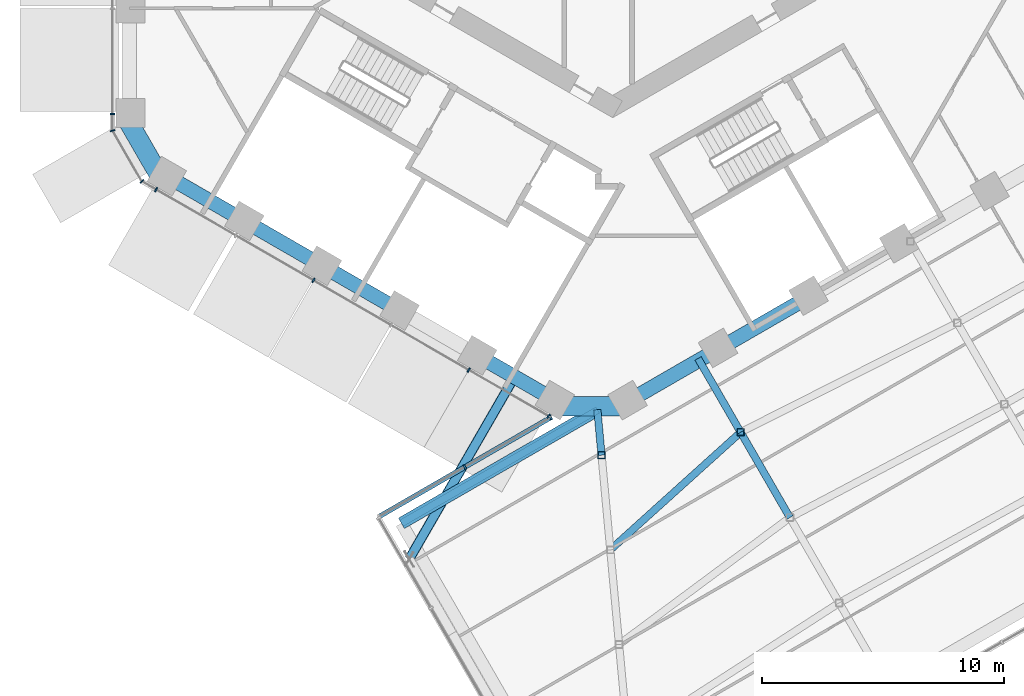
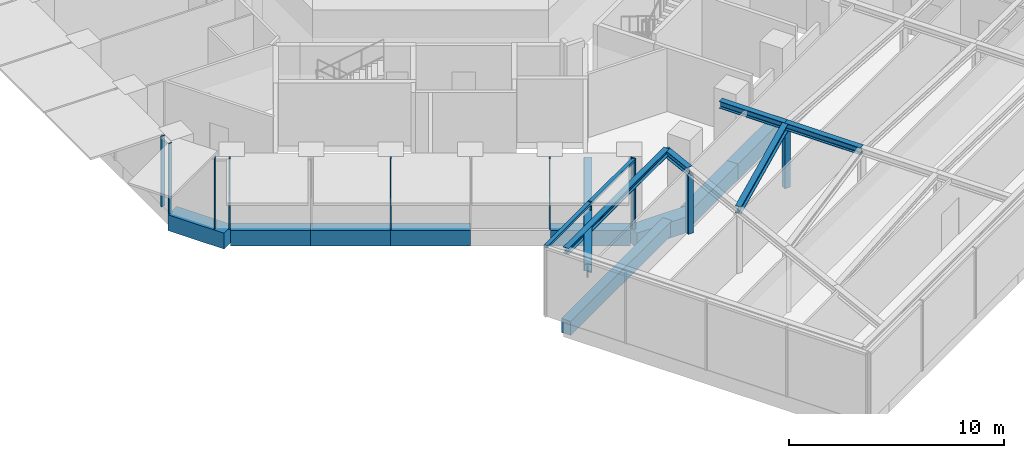
# One storey, part 3 of 28: 14 beams, 13 members, 4 elements without a shape of their own.
"""IFC4 building model written with IfcOpenShell, lengths in metres."""

from ifc_helpers import new_model, si_unit, direction, frame, origin, origin_2d, place, context, subcontext, project, spatial, rectangle, hollow_rectangle, i_section, extrude, material, layer, layer_set, material_profile, profile_set, type_object, element, aggregate, save


model = new_model("IFC4")

# Units and contexts
model_context = context("Model", 3, precision=1e-05, world=origin(), true_north=direction((0.0, 1.0)))
body_context = subcontext(model_context, "Body", "Model", "MODEL_VIEW")
ifc_project = project(units=[si_unit("LENGTHUNIT", "METRE"), si_unit("AREAUNIT", "SQUARE_METRE"), si_unit("VOLUMEUNIT", "CUBIC_METRE"), si_unit("PLANEANGLEUNIT", "RADIAN"), si_unit("MASSUNIT", "GRAM", prefix="KILO")], contexts=[model_context])

# Site, building, storey
site_placement = place(None, origin())
site = spatial("IfcSite", under=ifc_project, at=site_placement, CompositionType="ELEMENT")
building_placement = place(site_placement, origin())
building = spatial("IfcBuilding", under=site, at=building_placement, Name="Ayvan Gate Tower", CompositionType="ELEMENT")
storey_placement = place(building_placement, frame((0.0, 0.0, 74.300048828125)))
storey = spatial("IfcBuildingStorey", under=building, at=storey_placement, Name="L19", CompositionType="ELEMENT", Elevation=74.300048828125)

# Beams
ifc_material_1 = material(Name="Concrete C40/50", Category="concrete")
ifc_material_profile_1 = material_profile(ifc_material_1, rectangle(XDim=0.800048828125, YDim=0.89990234375, at=origin_2d()), Name="RC 800x900")
ifc_profile_set_1 = profile_set([ifc_material_profile_1], Name="Concrete C40/50")
beam_type_1 = type_object("IfcBeamType", Name="Corner spandrel beam RC 800x900 C40/50", PredefinedType="BEAM", material=ifc_profile_set_1)
for number, where, z_axis, x_axis, name in (
    (1, (-20.13818359375, -10.861083984375, -0.85009765625), (0.499990139034, -0.866031096941, 0.0), (0.866031096941, 0.499990139034, 0.0), "SB-L19-24"),
    (2, (-2.3369140625, -22.870849609375, -0.85009765625), (1.0, 0.0, 0.0), (0.0, 1.0, 0.0), "SB-L19-30"),
):
    element("IfcBeam", number, at=place(storey_placement, frame(where, z_axis=z_axis, x_axis=x_axis)), inside=storey, type_object=beam_type_1, Name=name, PredefinedType="BEAM", context=body_context, shape_type="SweptSolid", body=[
        extrude(rectangle(XDim=0.800048828125, YDim=0.89990234375, at=origin_2d()), origin(), (0.0, 0.0, 1.0), 3.0),
    ])
ifc_material_profile_2 = material_profile(ifc_material_1, rectangle(XDim=0.5, YDim=0.800048828125, at=origin_2d()), Name="RC 500x800")
ifc_profile_set_2 = profile_set([ifc_material_profile_2], Name="Concrete C40/50")
beam_type_2 = type_object("IfcBeamType", Name="Sky bar edge beam RC 500x800 C40/50", PredefinedType="BEAM", material=ifc_profile_set_2)
beam_1_placement = place(storey_placement, frame((-8.716552734375, -27.702392578125, -0.800048828125), z_axis=(0.866026291717, 0.499998462052, 0.0), x_axis=(-0.499998462052, 0.866026291717, 0.0)))
element("IfcBeam", 3, at=beam_1_placement, inside=storey, type_object=beam_type_2, Name="EB-B1-L19-9", PredefinedType="BEAM", context=body_context, shape_type="SweptSolid", body=[
    extrude(rectangle(XDim=0.5, YDim=0.800048828125, at=origin_2d()), origin(), (0.0, 0.0, 1.0), 9.443359375),
])
ifc_material_2 = material(Name="Steel S460ML", Category="steel")
ifc_material_profile_3 = material_profile(ifc_material_2, i_section(OverallWidth=0.300048828125, OverallDepth=0.39990234375, WebThickness=0.013427734375, FlangeThickness=0.02392578125, FilletRadius=0.027099609375, at=origin_2d()), Name="HE 400 B")
ifc_profile_set_3 = profile_set([ifc_material_profile_3], Name="Steel S460ML")
beam_type_3 = type_object("IfcBeamType", Name="Sky bar roof beam B1 HE 400 B", PredefinedType="BEAM", material=ifc_profile_set_3)
beam_2_placement = place(storey_placement, frame((-0.633056640625, -23.012451171875, 3.5), z_axis=(0.092108075796, -0.995749015753, 0.0), x_axis=(0.995749015753, 0.092108075796, 0.0)))
element("IfcBeam", 4, at=beam_2_placement, inside=storey, type_object=beam_type_3, Name="RB-B1-SBT1-1-1", PredefinedType="BEAM", context=body_context, shape_type="SweptSolid", body=[
    extrude(i_section(OverallWidth=0.300048828125, OverallDepth=0.39990234375, WebThickness=0.013427734375, FlangeThickness=0.02392578125, FilletRadius=0.027099609375, at=origin_2d()), origin(), (0.0, 0.0, 1.0), 1.889892578125),
])
beam_3_placement = place(storey_placement, frame((3.52294921875, -20.90185546875, 3.5), z_axis=(0.500009075263, -0.866020164116, 0.0), x_axis=(0.866020164116, 0.500009075263, 0.0)))
element("IfcBeam", 5, at=beam_3_placement, inside=storey, type_object=beam_type_3, Name="RB-B1-SBT1-2-1", PredefinedType="BEAM", context=body_context, shape_type="SweptSolid", body=[
    extrude(i_section(OverallWidth=0.300048828125, OverallDepth=0.39990234375, WebThickness=0.013427734375, FlangeThickness=0.02392578125, FilletRadius=0.027099609375, at=origin_2d()), origin(), (0.0, 0.0, 1.0), 3.5146484375),
])
beam_4_placement = place(storey_placement, frame((5.2802734375, -23.945556640625, 3.5), z_axis=(0.499982393232, -0.866035568818, 0.0), x_axis=(0.866035568818, 0.499982393232, 0.0)))
element("IfcBeam", 6, at=beam_4_placement, inside=storey, type_object=beam_type_3, Name="RB-B1-SBT1-2-2", PredefinedType="BEAM", context=body_context, shape_type="SweptSolid", body=[
    extrude(i_section(OverallWidth=0.300048828125, OverallDepth=0.39990234375, WebThickness=0.013427734375, FlangeThickness=0.02392578125, FilletRadius=0.027099609375, at=origin_2d()), origin(), (0.0, 0.0, 1.0), 4.065185546875),
])
beam_5_placement = place(storey_placement, frame((-0.097900390625, -28.79736328125, 3.5), z_axis=(0.742507596308, 0.669837644079, 0.0), x_axis=(-0.669837644079, 0.742507596308, 0.0)))
element("IfcBeam", 7, at=beam_5_placement, inside=storey, type_object=beam_type_3, Name="RX-B1-12-4", PredefinedType="BEAM", context=body_context, shape_type="SweptSolid", body=[
    extrude(i_section(OverallWidth=0.300048828125, OverallDepth=0.39990234375, WebThickness=0.013427734375, FlangeThickness=0.02392578125, FilletRadius=0.027099609375, at=origin_2d()), origin(), (0.0, 0.0, 1.0), 7.2431640625),
])
ifc_material_profile_4 = material_profile(ifc_material_2, i_section(OverallWidth=0.300048828125, OverallDepth=0.340087890625, WebThickness=0.011962890625, FlangeThickness=0.021484375, FilletRadius=0.027099609375, at=origin_2d()), Name="HE 340 B")
ifc_profile_set_4 = profile_set([ifc_material_profile_4], Name="Steel S460ML")
beam_type_4 = type_object("IfcBeamType", Name="Sky bar roof edge beam B1 HE 340 B", PredefinedType="BEAM", material=ifc_profile_set_4)
beam_6_placement = place(storey_placement, frame((-8.716552734375, -27.702392578125, 3.530029296875), z_axis=(0.866027821991, 0.499995811521, 0.0), x_axis=(-0.499995811521, 0.866027821991, 0.0)))
element("IfcBeam", 8, at=beam_6_placement, inside=storey, type_object=beam_type_4, Name="RE-B1-1-3", PredefinedType="BEAM", context=body_context, shape_type="SweptSolid", body=[
    extrude(i_section(OverallWidth=0.300048828125, OverallDepth=0.340087890625, WebThickness=0.011962890625, FlangeThickness=0.021484375, FilletRadius=0.027099609375, at=origin_2d()), origin(), (0.0, 0.0, 1.0), 9.3544921875),
])

# Members
ifc_material_3 = material(Name="Steel S460NH", Category="steel")
ifc_material_profile_5 = material_profile(ifc_material_3, hollow_rectangle(XDim=0.300048828125, YDim=0.300048828125, WallThickness=0.01611328125, InnerFilletRadius=0.01611328125, OuterFilletRadius=0.02392578125, at=origin_2d()), Name="RHS 300x300x16")
ifc_profile_set_5 = profile_set([ifc_material_profile_5], Name="Steel S460NH")
member_type_1 = type_object("IfcMemberType", Name="Sky bar roof post B1 RHS 300x300x16", PredefinedType="POST", material=ifc_profile_set_5)
for number, where, z_axis, x_axis, name in (
    (9, (-0.458984375, -24.894287109375, 0.0), (0.0, 0.0, 1.0), (1.0, 0.0, 0.0), "RP-B1-SBT1-1-1"),
    (10, (5.2802734375, -23.945556640625, 0.0), (0.0, 0.0, 1.0), (1.0, 0.0, 0.0), "RP-B1-SBT1-2-1"),
):
    element("IfcMember", number, at=place(storey_placement, frame(where, z_axis=z_axis, x_axis=x_axis)), inside=storey, type_object=member_type_1, Name=name, PredefinedType="POST", context=body_context, shape_type="SweptSolid", body=[
        extrude(hollow_rectangle(XDim=0.300048828125, YDim=0.300048828125, WallThickness=0.01611328125, InnerFilletRadius=0.01611328125, OuterFilletRadius=0.02392578125, at=origin_2d()), origin(), (0.0, 0.0, 1.0), 3.300048828125),
    ])
ifc_material_profile_6 = material_profile(ifc_material_3, hollow_rectangle(XDim=0.39990234375, YDim=0.39990234375, WallThickness=0.02001953125, InnerFilletRadius=0.02001953125, OuterFilletRadius=0.030029296875, at=origin_2d()), Name="RHS 400x400x20")
ifc_profile_set_6 = profile_set([ifc_material_profile_6], Name="Steel S460NH")
member_type_2 = type_object("IfcMemberType", Name="Sky bar truss brace B1 RHS 400x400x20", PredefinedType="BRACE", material=ifc_profile_set_6)
member_1_placement = place(storey_placement, frame((-4.051513671875, -21.660888671875, 3.349853515625), z_axis=(-0.500005737994, -0.866022090927, 0.0), x_axis=(0.866022090927, -0.500005737994, 0.0)))
element("IfcMember", 11, at=member_1_placement, inside=storey, type_object=member_type_2, Name="SBX1-B-TC-1", PredefinedType="CHORD", context=body_context, shape_type="SweptSolid", body=[
    extrude(hollow_rectangle(XDim=0.39990234375, YDim=0.39990234375, WallThickness=0.02001953125, InnerFilletRadius=0.02001953125, OuterFilletRadius=0.030029296875, at=origin_2d()), origin(), (0.0, 0.0, 1.0), 8.6787109375),
])

# Beams
ifc_material_profile_7 = material_profile(ifc_material_1, rectangle(XDim=0.60009765625, YDim=0.89990234375, at=origin_2d()), Name="RC 600x900")
ifc_profile_set_7 = profile_set([ifc_material_profile_7], Name="Concrete C40/50")
beam_type_5 = type_object("IfcBeamType", Name="Spandrel beam RC 600x900 C40/50", PredefinedType="BEAM", material=ifc_profile_set_7)
beam_7_placement = place(storey_placement, frame((-18.44775390625, -13.349365234375, -0.85009765625), z_axis=(0.86605009049, -0.499957238934, 0.0), x_axis=(0.499957238934, 0.86605009049, 0.0)))
element("IfcBeam", 12, at=beam_7_placement, inside=storey, type_object=beam_type_5, Name="SB-L19-25", PredefinedType="BEAM", context=body_context, shape_type="SweptSolid", body=[
    extrude(rectangle(XDim=0.60009765625, YDim=0.89990234375, at=origin_2d()), origin(), (0.0, 0.0, 1.0), 3.720458984375),
])
for number, where, z_axis, x_axis, name in (
    (13, (-15.2255859375, -15.20947265625, -0.85009765625), (0.866021677438, -0.500006454166, 0.0), (0.500006454166, 0.866021677438, 0.0), "SB-L19-26"),
    (14, (-12.00341796875, -17.06982421875, -0.85009765625), (0.866021677438, -0.500006454166, 0.0), (0.500006454166, 0.866021677438, 0.0), "SB-L19-27"),
):
    element("IfcBeam", number, at=place(storey_placement, frame(where, z_axis=z_axis, x_axis=x_axis)), inside=storey, type_object=beam_type_5, Name=name, PredefinedType="BEAM", context=body_context, shape_type="SweptSolid", body=[
        extrude(rectangle(XDim=0.60009765625, YDim=0.89990234375, at=origin_2d()), origin(), (0.0, 0.0, 1.0), 3.720703125),
    ])
beam_8_placement = place(storey_placement, frame((-5.55908203125, -20.79052734375, -0.85009765625), z_axis=(0.86605009049, -0.499957238934, 0.0), x_axis=(0.499957238934, 0.86605009049, 0.0)))
element("IfcBeam", 15, at=beam_8_placement, inside=storey, type_object=beam_type_5, Name="SB-L19-29", PredefinedType="BEAM", context=body_context, shape_type="SweptSolid", body=[
    extrude(rectangle(XDim=0.60009765625, YDim=0.89990234375, at=origin_2d()), origin(), (0.0, 0.0, 1.0), 3.720458984375),
])
beam_9_placement = place(storey_placement, frame((0.6630859375, -22.650634765625, -0.85009765625), z_axis=(0.866037162714, 0.499979632384, 0.0), x_axis=(-0.499979632384, 0.866037162714, 0.0)))
element("IfcBeam", 16, at=beam_9_placement, inside=storey, type_object=beam_type_5, Name="SB-L19-31", PredefinedType="BEAM", context=body_context, shape_type="SweptSolid", body=[
    extrude(rectangle(XDim=0.60009765625, YDim=0.89990234375, at=origin_2d()), origin(), (0.0, 0.0, 1.0), 4.300537109375),
])
beam_10_placement = place(storey_placement, frame((4.387451171875, -20.50048828125, -0.85009765625), z_axis=(0.866022970146, 0.500004215162, 0.0), x_axis=(-0.500004215162, 0.866022970146, 0.0)))
element("IfcBeam", 17, at=beam_10_placement, inside=storey, type_object=beam_type_5, Name="SB-L19-32", PredefinedType="BEAM", context=body_context, shape_type="SweptSolid", body=[
    extrude(rectangle(XDim=0.60009765625, YDim=0.89990234375, at=origin_2d()), origin(), (0.0, 0.0, 1.0), 4.30029296875),
])

# Curtain wall, member
ifc_material_4 = material(Name="Bronze anodised aluminium", Category="aluminium")
ifc_layer_1 = layer(ifc_material_4, 0.199951171875)
ifc_layer_set_1 = layer_set([ifc_layer_1], Name="Bronze anodised aluminium")
curtain_wall_type_1 = type_object("IfcCurtainWallType", Name="Stick curtain wall CW-1", PredefinedType="NOTDEFINED", material=ifc_layer_set_1)
curtain_wall_1_placement = place(storey_placement, origin())
curtain_wall_1 = element("IfcCurtainWall", 18, at=curtain_wall_1_placement, inside=storey, type_object=curtain_wall_type_1, Name="Stick curtain wall CW-1 L19", PredefinedType="NOTDEFINED")
ifc_material_profile_8 = material_profile(ifc_material_4, rectangle(XDim=0.199951171875, YDim=0.06005859375, at=origin_2d()), Name="Stick curtain wall CW-1 mullion 200 x 60")
ifc_profile_set_8 = profile_set([ifc_material_profile_8], Name="Bronze anodised aluminium")
member_type_3 = type_object("IfcMemberType", Name="Stick curtain wall CW-1 mullion 200 x 60", PredefinedType="MULLION", material=ifc_profile_set_8)
member_2_placement = place(storey_placement, frame((-20.6328125, -10.82177734375, 0.0), z_axis=(0.0, 0.0, 1.0), x_axis=(-1.0, 0.0, 0.0)))
member_2 = element("IfcMember", 19, at=member_2_placement, type_object=member_type_3, Name="CW-1 mullion 6", PredefinedType="MULLION", context=body_context, shape_type="SweptSolid", body=[
    extrude(rectangle(XDim=0.199951171875, YDim=0.06005859375, at=origin_2d()), origin(), (0.0, 0.0, 1.0), 4.0),
])
aggregate(curtain_wall_1, [member_2])

# Curtain wall, members
curtain_wall_2_placement = place(storey_placement, origin())
curtain_wall_2 = element("IfcCurtainWall", 20, at=curtain_wall_2_placement, inside=storey, type_object=curtain_wall_type_1, Name="Stick curtain wall CW-1 L19", PredefinedType="NOTDEFINED")
member_3_placement = place(storey_placement, frame((-18.836669921875, -13.932861328125, 0.0), z_axis=(0.0, 0.0, 1.0), x_axis=(-0.5, -0.866025403784, 0.0)))
member_3 = element("IfcMember", 21, at=member_3_placement, type_object=member_type_3, Name="CW-1 mullion 1", PredefinedType="MULLION", context=body_context, shape_type="SweptSolid", body=[
    extrude(rectangle(XDim=0.199951171875, YDim=0.06005859375, at=origin_2d()), origin(), (0.0, 0.0, 1.0), 4.0),
])
member_4_placement = place(storey_placement, frame((-12.34326171875, -17.681884765625, 0.0), z_axis=(0.0, 0.0, 1.0), x_axis=(-0.5, -0.866025403784, 0.0)))
member_4 = element("IfcMember", 22, at=member_4_placement, type_object=member_type_3, Name="CW-1 mullion 3", PredefinedType="MULLION", context=body_context, shape_type="SweptSolid", body=[
    extrude(rectangle(XDim=0.199951171875, YDim=0.06005859375, at=origin_2d()), origin(), (0.0, 0.0, 1.0), 4.0),
])
member_5_placement = place(storey_placement, frame((-5.93896484375, -21.37939453125, 0.0), z_axis=(0.0, 0.0, 1.0), x_axis=(-0.5, -0.866025403784, 0.0)))
member_5 = element("IfcMember", 23, at=member_5_placement, type_object=member_type_3, Name="CW-1 mullion 5", PredefinedType="MULLION", context=body_context, shape_type="SweptSolid", body=[
    extrude(rectangle(XDim=0.199951171875, YDim=0.06005859375, at=origin_2d()), origin(), (0.0, 0.0, 1.0), 4.0),
])
member_6_placement = place(storey_placement, frame((-2.64794921875, -23.279541015625, 0.0), z_axis=(0.0, 0.0, 1.0), x_axis=(-0.5, -0.866025403784, 0.0)))
member_6 = element("IfcMember", 24, at=member_6_placement, type_object=member_type_3, Name="CW-1 mullion 6", PredefinedType="MULLION", context=body_context, shape_type="SweptSolid", body=[
    extrude(rectangle(XDim=0.199951171875, YDim=0.06005859375, at=origin_2d()), origin(), (0.0, 0.0, 1.0), 4.0),
])
aggregate(curtain_wall_2, [member_3, member_4, member_5, member_6])

ifc_layer_2 = layer(ifc_material_4, 0.199951171875)
ifc_layer_set_2 = layer_set([ifc_layer_2], Name="Bronze anodised aluminium")
curtain_wall_type_2 = type_object("IfcCurtainWallType", Name="Stick curtain wall CW-4", PredefinedType="NOTDEFINED", material=ifc_layer_set_2)
curtain_wall_3_placement = place(storey_placement, origin())
curtain_wall_3 = element("IfcCurtainWall", 25, at=curtain_wall_3_placement, inside=storey, type_object=curtain_wall_type_2, Name="Stick curtain wall CW-4 L19", PredefinedType="NOTDEFINED")
ifc_material_profile_9 = material_profile(ifc_material_4, rectangle(XDim=0.199951171875, YDim=0.080078125, at=origin_2d()), Name="Stick curtain wall CW-4 mullion 200 x 80")
ifc_profile_set_9 = profile_set([ifc_material_profile_9], Name="Bronze anodised aluminium")
member_type_4 = type_object("IfcMemberType", Name="Stick curtain wall CW-4 mullion 200 x 80", PredefinedType="MULLION", material=ifc_profile_set_9)
member_7_placement = place(storey_placement, frame((-2.560791015625, -23.340087890625, 0.0), z_axis=(0.0, 0.0, 1.0), x_axis=(-0.5, 0.866025403784, 0.0)))
member_7 = element("IfcMember", 26, at=member_7_placement, type_object=member_type_4, Name="CW-4 mullion 1", PredefinedType="MULLION", context=body_context, shape_type="SweptSolid", body=[
    extrude(rectangle(XDim=0.199951171875, YDim=0.080078125, at=origin_2d()), origin(), (0.0, 0.0, 1.0), 4.0),
])
member_8_placement = place(storey_placement, frame((-6.099365234375, -25.38330078125, 0.0), z_axis=(0.0, 0.0, 1.0), x_axis=(-0.5, 0.866025403784, 0.0)))
member_8 = element("IfcMember", 27, at=member_8_placement, type_object=member_type_4, Name="CW-4 mullion 2", PredefinedType="MULLION", context=body_context, shape_type="SweptSolid", body=[
    extrude(rectangle(XDim=0.199951171875, YDim=0.080078125, at=origin_2d()), origin(), (0.0, 0.0, 1.0), 4.0),
])
ifc_material_profile_10 = material_profile(ifc_material_4, rectangle(XDim=0.199951171875, YDim=0.139892578125, at=origin_2d()), Name="Stick curtain wall CW-4 transom 200 x 140")
ifc_profile_set_10 = profile_set([ifc_material_profile_10], Name="Bronze anodised aluminium")
member_type_5 = type_object("IfcMemberType", Name="Stick curtain wall CW-4 transom 200 x 140", PredefinedType="USERDEFINED", material=ifc_profile_set_10)
member_9_placement = place(storey_placement, frame((-2.560791015625, -23.340087890625, 3.929931640625), z_axis=(-0.866022906543, -0.500004325324, 0.0), x_axis=(0.500004325324, -0.866022906543, 0.0)))
member_9 = element("IfcMember", 28, at=member_9_placement, type_object=member_type_5, Name="CW-4 transom 1", ObjectType="TRANSOM", PredefinedType="USERDEFINED", context=body_context, shape_type="SweptSolid", body=[
    extrude(rectangle(XDim=0.199951171875, YDim=0.139892578125, at=origin_2d()), origin(), (0.0, 0.0, 1.0), 8.17236328125),
])
aggregate(curtain_wall_3, [member_7, member_8, member_9])

ifc_layer_3 = layer(ifc_material_4, 0.199951171875)
ifc_layer_set_3 = layer_set([ifc_layer_3], Name="Bronze anodised aluminium")
curtain_wall_type_3 = type_object("IfcCurtainWallType", Name="Stick curtain wall CW-6", PredefinedType="NOTDEFINED", material=ifc_layer_set_3)
curtain_wall_4_placement = place(storey_placement, origin())
curtain_wall_4 = element("IfcCurtainWall", 29, at=curtain_wall_4_placement, inside=storey, type_object=curtain_wall_type_3, Name="Stick curtain wall CW-6 L19", PredefinedType="NOTDEFINED")
ifc_material_profile_11 = material_profile(ifc_material_4, rectangle(XDim=0.199951171875, YDim=0.050048828125, at=origin_2d()), Name="Stick curtain wall CW-6 mullion 200 x 50")
ifc_profile_set_11 = profile_set([ifc_material_profile_11], Name="Bronze anodised aluminium")
member_type_6 = type_object("IfcMemberType", Name="Stick curtain wall CW-6 mullion 200 x 50", PredefinedType="MULLION", material=ifc_profile_set_11)
member_10_placement = place(storey_placement, frame((-20.6328125, -11.501953125, 0.0), z_axis=(0.0, 0.0, 1.0), x_axis=(-0.965925826289, -0.258819045103, 0.0)))
member_10 = element("IfcMember", 30, at=member_10_placement, type_object=member_type_6, Name="CW-6 mullion 2", PredefinedType="MULLION", context=body_context, shape_type="SweptSolid", body=[
    extrude(rectangle(XDim=0.199951171875, YDim=0.050048828125, at=origin_2d()), origin(), (0.0, 0.0, 1.0), 4.0),
])
member_11_placement = place(storey_placement, frame((-19.425537109375, -13.593017578125, 0.0), z_axis=(0.0, 0.0, 1.0), x_axis=(-0.707106781187, -0.707106781187, 0.0)))
member_11 = element("IfcMember", 31, at=member_11_placement, type_object=member_type_6, Name="CW-6 mullion 3", PredefinedType="MULLION", context=body_context, shape_type="SweptSolid", body=[
    extrude(rectangle(XDim=0.199951171875, YDim=0.050048828125, at=origin_2d()), origin(), (0.0, 0.0, 1.0), 4.0),
])
aggregate(curtain_wall_4, [member_10, member_11])

save(model, "model.ifc")
